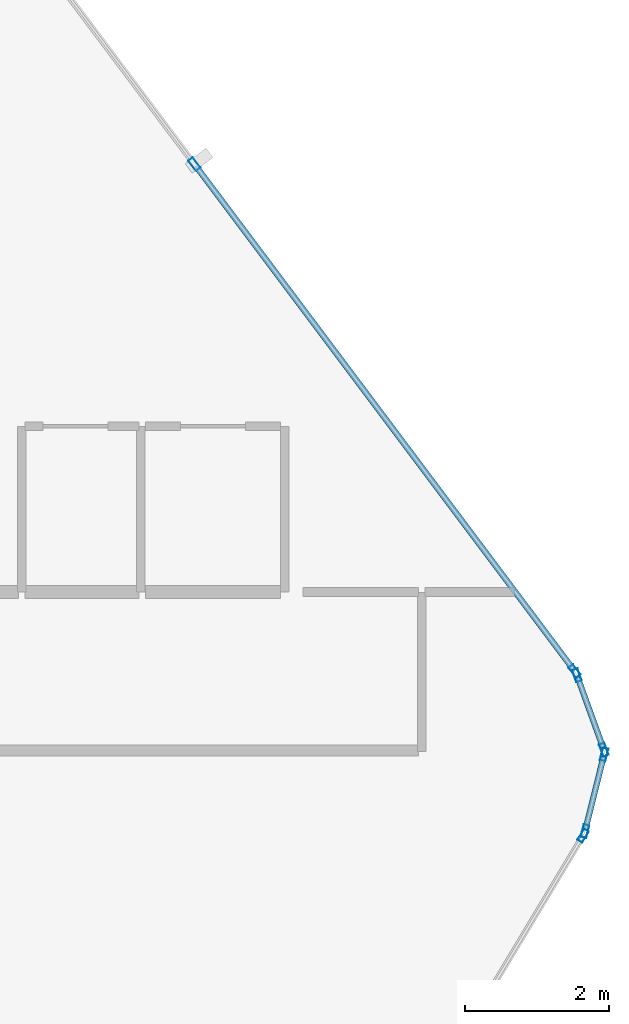
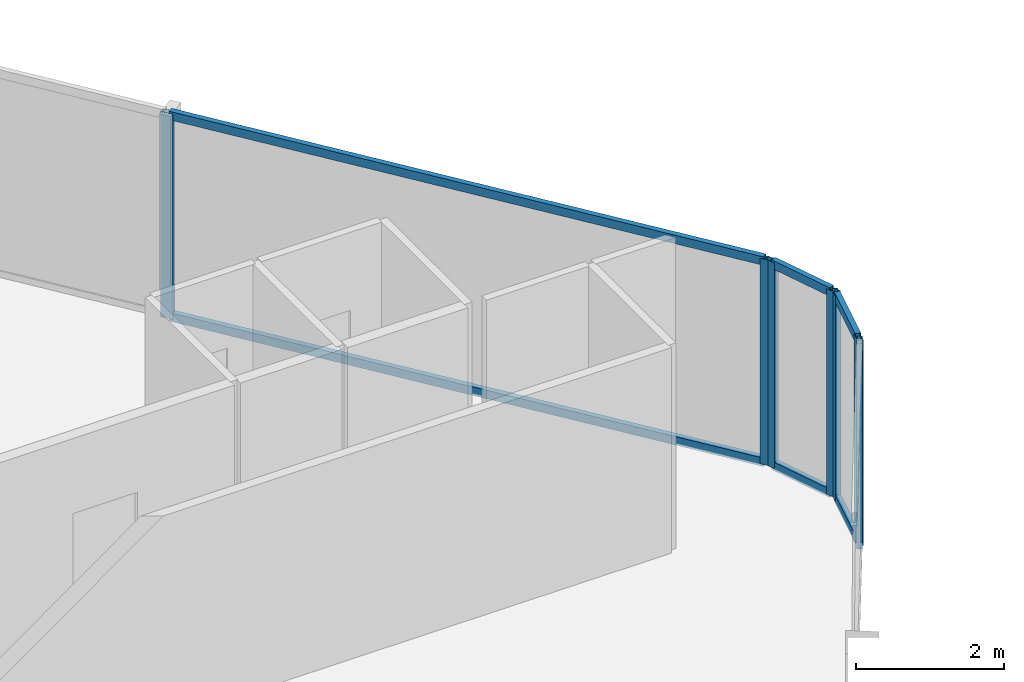
# One storey, part 18 of 29: 13 members, 4 elements without a shape of their own.
"""IFC4 building model written with IfcOpenShell, lengths in metres."""

from ifc_helpers import new_model, si_unit, direction, frame, origin, origin_2d, place, context, subcontext, project, spatial, hollow_rectangle, extrude, material, layer, layer_set, material_profile, profile_set, type_object, element, aggregate, save


model = new_model("IFC4")

# Units and contexts
model_context = context("Model", 3, precision=1e-05, world=origin(), true_north=direction((0.0, 1.0)))
body_context = subcontext(model_context, "Body", "Model", "MODEL_VIEW")
ifc_project = project(units=[si_unit("LENGTHUNIT", "METRE"), si_unit("AREAUNIT", "SQUARE_METRE"), si_unit("VOLUMEUNIT", "CUBIC_METRE"), si_unit("PLANEANGLEUNIT", "RADIAN"), si_unit("MASSUNIT", "GRAM", prefix="KILO")], contexts=[model_context])

# Site, building, storey
site_placement = place(None, origin())
site = spatial("IfcSite", under=ifc_project, at=site_placement, CompositionType="ELEMENT")
building_placement = place(site_placement, origin())
building = spatial("IfcBuilding", under=site, at=building_placement, Name="Keshet Zoharim Tower", CompositionType="ELEMENT")
storey_placement = place(building_placement, frame((0.0, 0.0, 94.60009765625)))
storey = spatial("IfcBuildingStorey", under=building, at=storey_placement, Name="L22", CompositionType="ELEMENT", Elevation=94.60009765625)

# Curtain wall, members
ifc_material = material(Name="Aluminium 6063-T6", Category="aluminium")
ifc_layer = layer(ifc_material, 0.159912109375)
ifc_layer_set = layer_set([ifc_layer], Name="Aluminium 6063-T6")
curtain_wall_type = type_object("IfcCurtainWallType", Name="CW-SYS-03", PredefinedType="NOTDEFINED", material=ifc_layer_set)
curtain_wall_1_placement = place(storey_placement, origin())
curtain_wall_1 = element("IfcCurtainWall", 1, at=curtain_wall_1_placement, inside=storey, type_object=curtain_wall_type, Name="L22 Unitised Curtain Wall 15", PredefinedType="NOTDEFINED")
ifc_material_profile_1 = material_profile(ifc_material, hollow_rectangle(XDim=0.080078125, YDim=0.179931640625, WallThickness=0.00439453125, at=origin_2d()), Name="MUL-80x180")
ifc_profile_set_1 = profile_set([ifc_material_profile_1], Name="Aluminium 6063-T6")
member_type_1 = type_object("IfcMemberType", Name="CWM-M18", PredefinedType="MULLION", material=ifc_profile_set_1)
member_1_placement = place(storey_placement, frame((56.896484375, 46.0380859375, 0.0), z_axis=(0.0, 0.0, 1.0), x_axis=(0.799999999998, 0.600000000002, 0.0)))
member_1 = element("IfcMember", 2, at=member_1_placement, type_object=member_type_1, Name="CW-03 mullion 2", PredefinedType="MULLION", context=body_context, shape_type="SweptSolid", body=[
    extrude(hollow_rectangle(XDim=0.080078125, YDim=0.179931640625, WallThickness=0.00439453125, at=origin_2d()), origin(), (0.0, 0.0, 1.0), 3.385009765625),
])
member_2_placement = place(storey_placement, frame((62.172119140625, 39.00390625, 0.0), z_axis=(0.0, 0.0, 1.0), x_axis=(0.799999999998, 0.600000000002, 0.0)))
member_2 = element("IfcMember", 3, at=member_2_placement, type_object=member_type_1, Name="CW-03 mullion 3", PredefinedType="MULLION", context=body_context, shape_type="SweptSolid", body=[
    extrude(hollow_rectangle(XDim=0.080078125, YDim=0.179931640625, WallThickness=0.00439453125, at=origin_2d()), origin(), (0.0, 0.0, 1.0), 3.385009765625),
])

curtain_wall_2_placement = place(storey_placement, origin())
curtain_wall_2 = element("IfcCurtainWall", 4, at=curtain_wall_2_placement, inside=storey, type_object=curtain_wall_type, Name="L22 Unitised Curtain Wall 16", PredefinedType="NOTDEFINED")
member_3_placement = place(storey_placement, frame((62.204833984375, 38.943115234375, 0.0), z_axis=(0.0, 0.0, 1.0), x_axis=(0.940317877544, 0.340297354046, 0.0)))
member_3 = element("IfcMember", 5, at=member_3_placement, type_object=member_type_1, Name="CW-03 mullion 1", PredefinedType="MULLION", context=body_context, shape_type="SweptSolid", body=[
    extrude(hollow_rectangle(XDim=0.080078125, YDim=0.179931640625, WallThickness=0.00439453125, at=origin_2d()), origin(), (0.0, 0.0, 1.0), 3.385009765625),
])
member_4_placement = place(storey_placement, frame((62.578125, 37.911865234375, 0.0), z_axis=(0.0, 0.0, 1.0), x_axis=(0.940317877544, 0.340297354046, 0.0)))
member_4 = element("IfcMember", 6, at=member_4_placement, type_object=member_type_1, Name="CW-03 mullion 2", PredefinedType="MULLION", context=body_context, shape_type="SweptSolid", body=[
    extrude(hollow_rectangle(XDim=0.080078125, YDim=0.179931640625, WallThickness=0.00439453125, at=origin_2d()), origin(), (0.0, 0.0, 1.0), 3.385009765625),
])

curtain_wall_3_placement = place(storey_placement, origin())
curtain_wall_3 = element("IfcCurtainWall", 7, at=curtain_wall_3_placement, inside=storey, type_object=curtain_wall_type, Name="L22 Unitised Curtain Wall 17", PredefinedType="NOTDEFINED")
member_5_placement = place(storey_placement, frame((62.58154296875, 37.844970703125, 0.0), z_axis=(0.0, 0.0, 1.0), x_axis=(0.970343857447, -0.241728770141, 0.0)))
member_5 = element("IfcMember", 8, at=member_5_placement, type_object=member_type_1, Name="CW-03 mullion 1", PredefinedType="MULLION", context=body_context, shape_type="SweptSolid", body=[
    extrude(hollow_rectangle(XDim=0.080078125, YDim=0.179931640625, WallThickness=0.00439453125, at=origin_2d()), origin(), (0.0, 0.0, 1.0), 3.385009765625),
])
member_6_placement = place(storey_placement, frame((62.31640625, 36.781005859375, 0.0), z_axis=(0.0, 0.0, 1.0), x_axis=(0.970343857447, -0.241728770141, 0.0)))
member_6 = element("IfcMember", 9, at=member_6_placement, type_object=member_type_1, Name="CW-03 mullion 2", PredefinedType="MULLION", context=body_context, shape_type="SweptSolid", body=[
    extrude(hollow_rectangle(XDim=0.080078125, YDim=0.179931640625, WallThickness=0.00439453125, at=origin_2d()), origin(), (0.0, 0.0, 1.0), 3.385009765625),
])

# Curtain wall, member
curtain_wall_4_placement = place(storey_placement, origin())
curtain_wall_4 = element("IfcCurtainWall", 10, at=curtain_wall_4_placement, inside=storey, type_object=curtain_wall_type, Name="L22 Unitised Curtain Wall 18", PredefinedType="NOTDEFINED")
member_7_placement = place(storey_placement, frame((62.2900390625, 36.717041015625, 0.0), z_axis=(0.0, 0.0, 1.0), x_axis=(0.857501477862, -0.514481501576, 0.0)))
member_7 = element("IfcMember", 11, at=member_7_placement, type_object=member_type_1, Name="CW-03 mullion 1", PredefinedType="MULLION", context=body_context, shape_type="SweptSolid", body=[
    extrude(hollow_rectangle(XDim=0.080078125, YDim=0.179931640625, WallThickness=0.00439453125, at=origin_2d()), origin(), (0.0, 0.0, 1.0), 3.385009765625),
])
aggregate(curtain_wall_4, [member_7])

# Member
ifc_material_profile_2 = material_profile(ifc_material, hollow_rectangle(XDim=0.080078125, YDim=0.139892578125, WallThickness=0.00390625, at=origin_2d()), Name="TRN-80x140")
ifc_profile_set_2 = profile_set([ifc_material_profile_2], Name="Aluminium 6063-T6")
member_type_2 = type_object("IfcMemberType", Name="CWT-T14", PredefinedType="USERDEFINED", material=ifc_profile_set_2)
member_8_placement = place(storey_placement, frame((56.91748046875, 46.010009765625, 0.034912109375), z_axis=(0.599991043201, -0.800006717521, 0.0), x_axis=(0.800006717521, 0.599991043201, 0.0)))
member_8 = element("IfcMember", 12, at=member_8_placement, type_object=member_type_2, Name="CW-03 transom 2.1", ObjectType="TRANSOM", PredefinedType="USERDEFINED", context=body_context, shape_type="SweptSolid", body=[
    extrude(hollow_rectangle(XDim=0.080078125, YDim=0.139892578125, WallThickness=0.00390625, at=origin_2d()), origin(), (0.0, 0.0, 1.0), 8.722412109375),
])

member_9_placement = place(storey_placement, frame((56.91748046875, 46.010009765625, 3.349853515625), z_axis=(0.599991043201, -0.800006717521, 0.0), x_axis=(0.800006717521, 0.599991043201, 0.0)))
member_9 = element("IfcMember", 13, at=member_9_placement, type_object=member_type_2, Name="CW-03 transom 2.2", ObjectType="TRANSOM", PredefinedType="USERDEFINED", context=body_context, shape_type="SweptSolid", body=[
    extrude(hollow_rectangle(XDim=0.080078125, YDim=0.139892578125, WallThickness=0.00390625, at=origin_2d()), origin(), (0.0, 0.0, 1.0), 8.722412109375),
])

aggregate(curtain_wall_1, [member_1, member_2, member_8, member_9])

member_10_placement = place(storey_placement, frame((62.216796875, 38.91015625, 0.034912109375), z_axis=(0.340310579984, -0.940313091024, 0.0), x_axis=(0.940313091024, 0.340310579984, 0.0)))
member_10 = element("IfcMember", 14, at=member_10_placement, type_object=member_type_2, Name="CW-03 transom 1.1", ObjectType="TRANSOM", PredefinedType="USERDEFINED", context=body_context, shape_type="SweptSolid", body=[
    extrude(hollow_rectangle(XDim=0.080078125, YDim=0.139892578125, WallThickness=0.00390625, at=origin_2d()), origin(), (0.0, 0.0, 1.0), 1.026611328125),
])

member_11_placement = place(storey_placement, frame((62.216796875, 38.91015625, 3.349853515625), z_axis=(0.340310579984, -0.940313091024, 0.0), x_axis=(0.940313091024, 0.340310579984, 0.0)))
member_11 = element("IfcMember", 15, at=member_11_placement, type_object=member_type_2, Name="CW-03 transom 1.2", ObjectType="TRANSOM", PredefinedType="USERDEFINED", context=body_context, shape_type="SweptSolid", body=[
    extrude(hollow_rectangle(XDim=0.080078125, YDim=0.139892578125, WallThickness=0.00390625, at=origin_2d()), origin(), (0.0, 0.0, 1.0), 1.026611328125),
])

aggregate(curtain_wall_2, [member_3, member_4, member_10, member_11])

member_12_placement = place(storey_placement, frame((62.572998046875, 37.81103515625, 0.034912109375), z_axis=(-0.241640143717, -0.970365931463, 0.0), x_axis=(0.970365931463, -0.241640143717, 0.0)))
member_12 = element("IfcMember", 16, at=member_12_placement, type_object=member_type_2, Name="CW-03 transom 1.1", ObjectType="TRANSOM", PredefinedType="USERDEFINED", context=body_context, shape_type="SweptSolid", body=[
    extrude(hollow_rectangle(XDim=0.080078125, YDim=0.139892578125, WallThickness=0.00390625, at=origin_2d()), origin(), (0.0, 0.0, 1.0), 1.026611328125),
])

member_13_placement = place(storey_placement, frame((62.572998046875, 37.81103515625, 3.349853515625), z_axis=(-0.241640143717, -0.970365931463, 0.0), x_axis=(0.970365931463, -0.241640143717, 0.0)))
member_13 = element("IfcMember", 17, at=member_13_placement, type_object=member_type_2, Name="CW-03 transom 1.2", ObjectType="TRANSOM", PredefinedType="USERDEFINED", context=body_context, shape_type="SweptSolid", body=[
    extrude(hollow_rectangle(XDim=0.080078125, YDim=0.139892578125, WallThickness=0.00390625, at=origin_2d()), origin(), (0.0, 0.0, 1.0), 1.026611328125),
])

aggregate(curtain_wall_3, [member_5, member_6, member_12, member_13])

save(model, "model.ifc")
